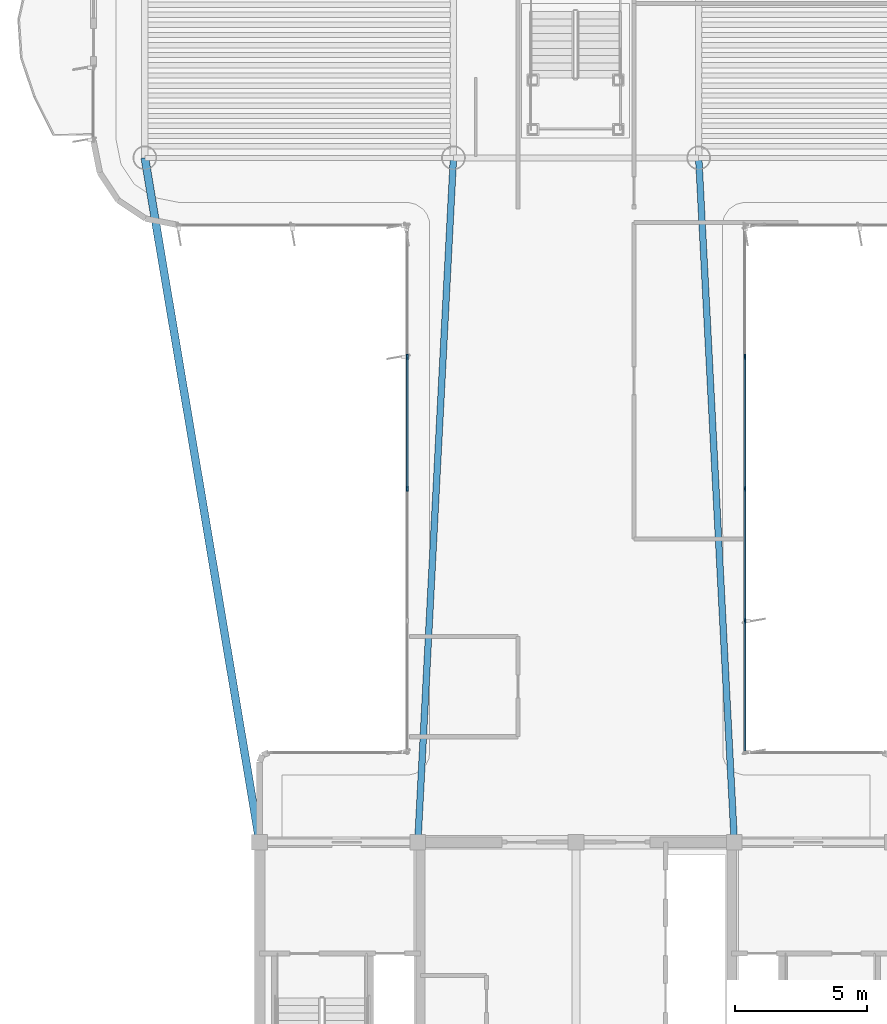
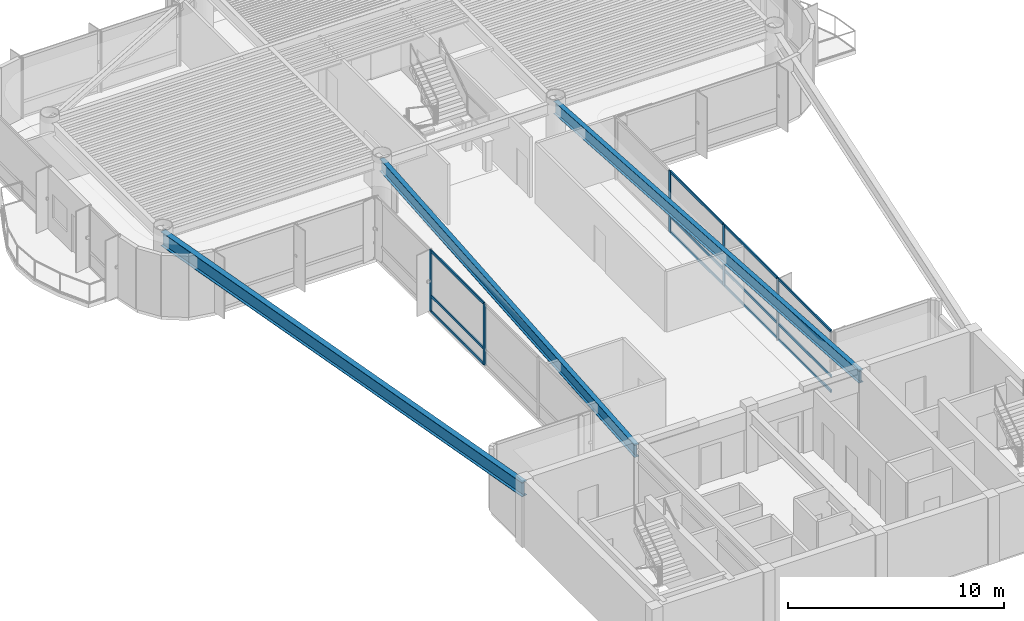
# One storey, part 4 of 17: 17 members, 3 beams, 2 elements without a shape of their own.
"""IFC4 building model written with IfcOpenShell, lengths in metres."""

from ifc_helpers import new_model, si_unit, direction, frame, origin, origin_2d, place, context, subcontext, project, spatial, rectangle, i_section, extrude, source, transform, mapped, material, layer, layer_set, material_profile, profile_set, type_object, element, aggregate, save


model = new_model("IFC4")

# Units and contexts
model_context = context("Model", 3, precision=1e-05, world=origin(), true_north=direction((0.0, 1.0)))
body_context = subcontext(model_context, "Body", "Model", "MODEL_VIEW")
ifc_project = project(units=[si_unit("LENGTHUNIT", "METRE"), si_unit("AREAUNIT", "SQUARE_METRE"), si_unit("VOLUMEUNIT", "CUBIC_METRE"), si_unit("PLANEANGLEUNIT", "RADIAN"), si_unit("MASSUNIT", "GRAM", prefix="KILO")], contexts=[model_context])

# Site, building, storey
site_placement = place(None, origin())
site = spatial("IfcSite", under=ifc_project, at=site_placement, CompositionType="ELEMENT")
building_placement = place(site_placement, origin())
building = spatial("IfcBuilding", under=site, at=building_placement, Name="Brelvock Crest Care Tower", CompositionType="ELEMENT")
storey_placement = place(building_placement, frame((0.0, 0.0, 287.280029296875)))
storey = spatial("IfcBuildingStorey", under=building, at=storey_placement, Name="L73", CompositionType="ELEMENT", Elevation=287.280029296875)

# Beams
ifc_material_1 = material(Name="Steel Grade 350", Category="steel")
ifc_material_profile_1 = material_profile(ifc_material_1, i_section(OverallWidth=0.25, OverallDepth=0.699951171875, WebThickness=0.011962890625, FlangeThickness=0.02001953125, at=origin_2d()), Name="700WB150")
ifc_profile_set_1 = profile_set([ifc_material_profile_1], Name="Steel Grade 350")
beam_type_1 = type_object("IfcBeamType", Name="BM-G4", PredefinedType="BEAM", material=ifc_profile_set_1)
shared_shape_1 = source(origin(), body_context, "Body", "SweptSolid", [
    extrude(i_section(OverallWidth=0.25, OverallDepth=0.699951171875, WebThickness=0.011962890625, FlangeThickness=0.02001953125, at=origin_2d()), origin(), (0.0, 0.0, 1.0), 25.985107421875),
])
for number, where, z_axis, x_axis, name in (
    (1, (30.0, 18.0, 3.10986328125), (0.051956711656, 0.998649337913, 0.0), (-0.998649337913, 0.051956711656, 0.0), "BM-THRW-L73"),
    (2, (42.0, 18.0, 3.10986328125), (-0.051956711656, 0.998649337913, 0.0), (-0.998649337913, -0.051956711656, 0.0), "BM-THRE-L73"),
):
    element("IfcBeam", number, at=place(storey_placement, frame(where, z_axis=z_axis, x_axis=x_axis)), inside=storey, type_object=beam_type_1, Name=name, PredefinedType="BEAM", context=body_context, shape_type="MappedRepresentation", body=[
        mapped(shared_shape_1, transform((0.0, 0.0, 0.0), x_axis=(1.0, 0.0, 0.0), y_axis=(0.0, 1.0, 0.0), z_axis=(0.0, 0.0, 1.0), scale=1.0)),
    ])
ifc_material_profile_2 = material_profile(ifc_material_1, i_section(OverallWidth=0.300048828125, OverallDepth=0.800048828125, WebThickness=0.013916015625, FlangeThickness=0.02197265625, at=origin_2d()), Name="800WB192")
ifc_profile_set_2 = profile_set([ifc_material_profile_2], Name="Steel Grade 350")
beam_type_2 = type_object("IfcBeamType", Name="BM-G5", PredefinedType="BEAM", material=ifc_profile_set_2)
shared_shape_2 = source(origin(), body_context, "Body", "SweptSolid", [
    extrude(i_section(OverallWidth=0.300048828125, OverallDepth=0.800048828125, WebThickness=0.013916015625, FlangeThickness=0.02197265625, at=origin_2d()), origin(), (0.0, 0.0, 1.0), 26.31201171875),
])
beam_placement = place(storey_placement, frame((24.0, 18.0, 3.06005859375), z_axis=(-0.165327282709, 0.986238758918, 0.0), x_axis=(-0.986238758918, -0.165327282709, 0.0)))
element("IfcBeam", 3, at=beam_placement, inside=storey, type_object=beam_type_2, Name="BM-THRO-W-L73", PredefinedType="BEAM", context=body_context, shape_type="MappedRepresentation", body=[
    mapped(shared_shape_2, transform((0.0, 0.0, 0.0), x_axis=(1.0, 0.0, 0.0), y_axis=(0.0, 1.0, 0.0), z_axis=(0.0, 0.0, 1.0), scale=1.0)),
])

# Curtain wall, members
ifc_material_2 = material(Name="Dark Glass Double Glazed Low-E", Category="glass")
ifc_layer = layer(ifc_material_2, 0.2548828125, Name="CWS-6")
ifc_layer_set = layer_set([ifc_layer], Name="Dark Glass Double Glazed Low-E")
curtain_wall_type = type_object("IfcCurtainWallType", Name="CWS-6", PredefinedType="NOTDEFINED", material=ifc_layer_set)
curtain_wall_1_placement = place(storey_placement, origin())
curtain_wall_1 = element("IfcCurtainWall", 4, at=curtain_wall_1_placement, inside=storey, type_object=curtain_wall_type, Name="L73 Curtain Wall E45", PredefinedType="NOTDEFINED")
ifc_material_3 = material(Name="Aluminium 6063-T6", Category="aluminium")
ifc_material_profile_3 = material_profile(ifc_material_3, rectangle(XDim=0.06494140625, YDim=0.14990234375, at=origin_2d()), Name="ALU65x150")
ifc_profile_set_3 = profile_set([ifc_material_profile_3], Name="Aluminium 6063-T6")
member_type_1 = type_object("IfcMemberType", Name="CWT-1", PredefinedType="USERDEFINED", material=ifc_profile_set_3)
shared_shape_3 = source(origin(), body_context, "Body", "SweptSolid", [
    extrude(rectangle(XDim=0.06494140625, YDim=0.14990234375, at=origin_2d()), origin(), (0.0, 0.0, 1.0), 4.90234375),
])
member_1_placement = place(storey_placement, frame((42.39990234375, 26.367431640625, 0.032470703125), z_axis=(0.0, -1.0, 0.0), x_axis=(1.0, 0.0, 0.0)))
member_1 = element("IfcMember", 5, at=member_1_placement, type_object=member_type_1, Name="CW-6 transom 4.1", ObjectType="TRANSOM", PredefinedType="USERDEFINED", context=body_context, shape_type="MappedRepresentation", body=[
    mapped(shared_shape_3, transform((0.0, 0.0, 0.0), x_axis=(1.0, 0.0, 0.0), y_axis=(0.0, 1.0, 0.0), z_axis=(0.0, 0.0, 1.0), scale=1.0)),
])
member_2_placement = place(storey_placement, frame((42.39990234375, 26.367431640625, 0.89990234375), z_axis=(0.0, -1.0, 0.0), x_axis=(1.0, 0.0, 0.0)))
member_2 = element("IfcMember", 6, at=member_2_placement, type_object=member_type_1, Name="CW-6 transom 4.2", ObjectType="TRANSOM", PredefinedType="USERDEFINED", context=body_context, shape_type="MappedRepresentation", body=[
    mapped(shared_shape_3, transform((0.0, 0.0, 0.0), x_axis=(1.0, 0.0, 0.0), y_axis=(0.0, 1.0, 0.0), z_axis=(0.0, 0.0, 1.0), scale=1.0)),
])
member_3_placement = place(storey_placement, frame((42.39990234375, 26.367431640625, 3.427490234375), z_axis=(0.0, -1.0, 0.0), x_axis=(1.0, 0.0, 0.0)))
member_3 = element("IfcMember", 7, at=member_3_placement, type_object=member_type_1, Name="CW-6 transom 4.3", ObjectType="TRANSOM", PredefinedType="USERDEFINED", context=body_context, shape_type="MappedRepresentation", body=[
    mapped(shared_shape_3, transform((0.0, 0.0, 0.0), x_axis=(1.0, 0.0, 0.0), y_axis=(0.0, 1.0, 0.0), z_axis=(0.0, 0.0, 1.0), scale=1.0)),
])

curtain_wall_2_placement = place(storey_placement, origin())
curtain_wall_2 = element("IfcCurtainWall", 8, at=curtain_wall_2_placement, inside=storey, type_object=curtain_wall_type, Name="L73 Curtain Wall E11", PredefinedType="NOTDEFINED")
shared_shape_4 = source(origin(), body_context, "Body", "SweptSolid", [
    extrude(rectangle(XDim=0.06494140625, YDim=0.14990234375, at=origin_2d()), origin(), (0.0, 0.0, 1.0), 4.934814453125),
])
member_4_placement = place(storey_placement, frame((29.60009765625, 31.4326171875, 0.032470703125), z_axis=(0.0, 1.0, 0.0), x_axis=(-1.0, 0.0, 0.0)))
member_4 = element("IfcMember", 9, at=member_4_placement, type_object=member_type_1, Name="CW-6 transom 3.1", ObjectType="TRANSOM", PredefinedType="USERDEFINED", context=body_context, shape_type="MappedRepresentation", body=[
    mapped(shared_shape_4, transform((0.0, 0.0, 0.0), x_axis=(1.0, 0.0, 0.0), y_axis=(0.0, 1.0, 0.0), z_axis=(0.0, 0.0, 1.0), scale=1.0)),
])
member_5_placement = place(storey_placement, frame((29.60009765625, 31.4326171875, 0.89990234375), z_axis=(0.0, 1.0, 0.0), x_axis=(-1.0, 0.0, 0.0)))
member_5 = element("IfcMember", 10, at=member_5_placement, type_object=member_type_1, Name="CW-6 transom 3.2", ObjectType="TRANSOM", PredefinedType="USERDEFINED", context=body_context, shape_type="MappedRepresentation", body=[
    mapped(shared_shape_4, transform((0.0, 0.0, 0.0), x_axis=(1.0, 0.0, 0.0), y_axis=(0.0, 1.0, 0.0), z_axis=(0.0, 0.0, 1.0), scale=1.0)),
])
member_6_placement = place(storey_placement, frame((29.60009765625, 31.4326171875, 3.427490234375), z_axis=(0.0, 1.0, 0.0), x_axis=(-1.0, 0.0, 0.0)))
member_6 = element("IfcMember", 11, at=member_6_placement, type_object=member_type_1, Name="CW-6 transom 3.3", ObjectType="TRANSOM", PredefinedType="USERDEFINED", context=body_context, shape_type="MappedRepresentation", body=[
    mapped(shared_shape_4, transform((0.0, 0.0, 0.0), x_axis=(1.0, 0.0, 0.0), y_axis=(0.0, 1.0, 0.0), z_axis=(0.0, 0.0, 1.0), scale=1.0)),
])

# Member
member_7_placement = place(storey_placement, frame((42.39990234375, 36.367431640625, 0.032470703125), z_axis=(0.0, -1.0, 0.0), x_axis=(1.0, 0.0, 0.0)))
member_7 = element("IfcMember", 12, at=member_7_placement, type_object=member_type_1, Name="CW-6 transom 2.1", ObjectType="TRANSOM", PredefinedType="USERDEFINED", context=body_context, shape_type="MappedRepresentation", body=[
    mapped(shared_shape_4, transform((0.0, 0.0, 0.0), x_axis=(1.0, 0.0, 0.0), y_axis=(0.0, 1.0, 0.0), z_axis=(0.0, 0.0, 1.0), scale=1.0)),
])

member_8_placement = place(storey_placement, frame((42.39990234375, 36.367431640625, 0.89990234375), z_axis=(0.0, -1.0, 0.0), x_axis=(1.0, 0.0, 0.0)))
member_8 = element("IfcMember", 13, at=member_8_placement, type_object=member_type_1, Name="CW-6 transom 2.2", ObjectType="TRANSOM", PredefinedType="USERDEFINED", context=body_context, shape_type="MappedRepresentation", body=[
    mapped(shared_shape_4, transform((0.0, 0.0, 0.0), x_axis=(1.0, 0.0, 0.0), y_axis=(0.0, 1.0, 0.0), z_axis=(0.0, 0.0, 1.0), scale=1.0)),
])

member_9_placement = place(storey_placement, frame((42.39990234375, 36.367431640625, 3.427490234375), z_axis=(0.0, -1.0, 0.0), x_axis=(1.0, 0.0, 0.0)))
member_9 = element("IfcMember", 14, at=member_9_placement, type_object=member_type_1, Name="CW-6 transom 2.3", ObjectType="TRANSOM", PredefinedType="USERDEFINED", context=body_context, shape_type="MappedRepresentation", body=[
    mapped(shared_shape_4, transform((0.0, 0.0, 0.0), x_axis=(1.0, 0.0, 0.0), y_axis=(0.0, 1.0, 0.0), z_axis=(0.0, 0.0, 1.0), scale=1.0)),
])

member_10_placement = place(storey_placement, frame((42.39990234375, 31.367431640625, 0.032470703125), z_axis=(0.0, -1.0, 0.0), x_axis=(1.0, 0.0, 0.0)))
member_10 = element("IfcMember", 15, at=member_10_placement, type_object=member_type_1, Name="CW-6 transom 3.1", ObjectType="TRANSOM", PredefinedType="USERDEFINED", context=body_context, shape_type="MappedRepresentation", body=[
    mapped(shared_shape_4, transform((0.0, 0.0, 0.0), x_axis=(1.0, 0.0, 0.0), y_axis=(0.0, 1.0, 0.0), z_axis=(0.0, 0.0, 1.0), scale=1.0)),
])

member_11_placement = place(storey_placement, frame((42.39990234375, 31.367431640625, 0.89990234375), z_axis=(0.0, -1.0, 0.0), x_axis=(1.0, 0.0, 0.0)))
member_11 = element("IfcMember", 16, at=member_11_placement, type_object=member_type_1, Name="CW-6 transom 3.2", ObjectType="TRANSOM", PredefinedType="USERDEFINED", context=body_context, shape_type="MappedRepresentation", body=[
    mapped(shared_shape_4, transform((0.0, 0.0, 0.0), x_axis=(1.0, 0.0, 0.0), y_axis=(0.0, 1.0, 0.0), z_axis=(0.0, 0.0, 1.0), scale=1.0)),
])

member_12_placement = place(storey_placement, frame((42.39990234375, 31.367431640625, 3.427490234375), z_axis=(0.0, -1.0, 0.0), x_axis=(1.0, 0.0, 0.0)))
member_12 = element("IfcMember", 17, at=member_12_placement, type_object=member_type_1, Name="CW-6 transom 3.3", ObjectType="TRANSOM", PredefinedType="USERDEFINED", context=body_context, shape_type="MappedRepresentation", body=[
    mapped(shared_shape_4, transform((0.0, 0.0, 0.0), x_axis=(1.0, 0.0, 0.0), y_axis=(0.0, 1.0, 0.0), z_axis=(0.0, 0.0, 1.0), scale=1.0)),
])

ifc_material_profile_4 = material_profile(ifc_material_3, rectangle(XDim=0.06494140625, YDim=0.199951171875, at=origin_2d()), Name="ALU65x200")
ifc_profile_set_4 = profile_set([ifc_material_profile_4], Name="Aluminium 6063-T6")
member_type_2 = type_object("IfcMemberType", Name="CWM-1", PredefinedType="MULLION", material=ifc_profile_set_4)
shared_shape_5 = source(origin(), body_context, "Body", "SweptSolid", [
    extrude(rectangle(XDim=0.06494140625, YDim=0.199951171875, at=origin_2d()), origin(), (0.0, 0.0, 1.0), 3.4599609375),
])
member_13_placement = place(storey_placement, frame((29.60009765625, 31.39990234375, 0.0), z_axis=(0.0, 0.0, 1.0), x_axis=(-1.0, 0.0, 0.0)))
member_13 = element("IfcMember", 18, at=member_13_placement, type_object=member_type_2, Name="CW-6 mullion 3", PredefinedType="MULLION", context=body_context, shape_type="MappedRepresentation", body=[
    mapped(shared_shape_5, transform((0.0, 0.0, 0.0), x_axis=(1.0, 0.0, 0.0), y_axis=(0.0, 1.0, 0.0), z_axis=(0.0, 0.0, 1.0), scale=1.0)),
])

member_14_placement = place(storey_placement, frame((29.60009765625, 36.39990234375, 0.0), z_axis=(0.0, 0.0, 1.0), x_axis=(-1.0, 0.0, 0.0)))
member_14 = element("IfcMember", 19, at=member_14_placement, type_object=member_type_2, Name="CW-6 mullion 4", PredefinedType="MULLION", context=body_context, shape_type="MappedRepresentation", body=[
    mapped(shared_shape_5, transform((0.0, 0.0, 0.0), x_axis=(1.0, 0.0, 0.0), y_axis=(0.0, 1.0, 0.0), z_axis=(0.0, 0.0, 1.0), scale=1.0)),
])

aggregate(curtain_wall_2, [member_13, member_14, member_4, member_5, member_6])

member_15_placement = place(storey_placement, frame((42.39990234375, 36.39990234375, 0.0), z_axis=(0.0, 0.0, 1.0), x_axis=(1.0, 0.0, 0.0)))
member_15 = element("IfcMember", 20, at=member_15_placement, type_object=member_type_2, Name="CW-6 mullion 2", PredefinedType="MULLION", context=body_context, shape_type="MappedRepresentation", body=[
    mapped(shared_shape_5, transform((0.0, 0.0, 0.0), x_axis=(1.0, 0.0, 0.0), y_axis=(0.0, 1.0, 0.0), z_axis=(0.0, 0.0, 1.0), scale=1.0)),
])

member_16_placement = place(storey_placement, frame((42.39990234375, 31.39990234375, 0.0), z_axis=(0.0, 0.0, 1.0), x_axis=(1.0, 0.0, 0.0)))
member_16 = element("IfcMember", 21, at=member_16_placement, type_object=member_type_2, Name="CW-6 mullion 3", PredefinedType="MULLION", context=body_context, shape_type="MappedRepresentation", body=[
    mapped(shared_shape_5, transform((0.0, 0.0, 0.0), x_axis=(1.0, 0.0, 0.0), y_axis=(0.0, 1.0, 0.0), z_axis=(0.0, 0.0, 1.0), scale=1.0)),
])

member_17_placement = place(storey_placement, frame((42.39990234375, 26.39990234375, 0.0), z_axis=(0.0, 0.0, 1.0), x_axis=(1.0, 0.0, 0.0)))
member_17 = element("IfcMember", 22, at=member_17_placement, type_object=member_type_2, Name="CW-6 mullion 4", PredefinedType="MULLION", context=body_context, shape_type="MappedRepresentation", body=[
    mapped(shared_shape_5, transform((0.0, 0.0, 0.0), x_axis=(1.0, 0.0, 0.0), y_axis=(0.0, 1.0, 0.0), z_axis=(0.0, 0.0, 1.0), scale=1.0)),
])

aggregate(curtain_wall_1, [member_15, member_16, member_17, member_7, member_8, member_9, member_10, member_11, member_12, member_1, member_2, member_3])

save(model, "model.ifc")
